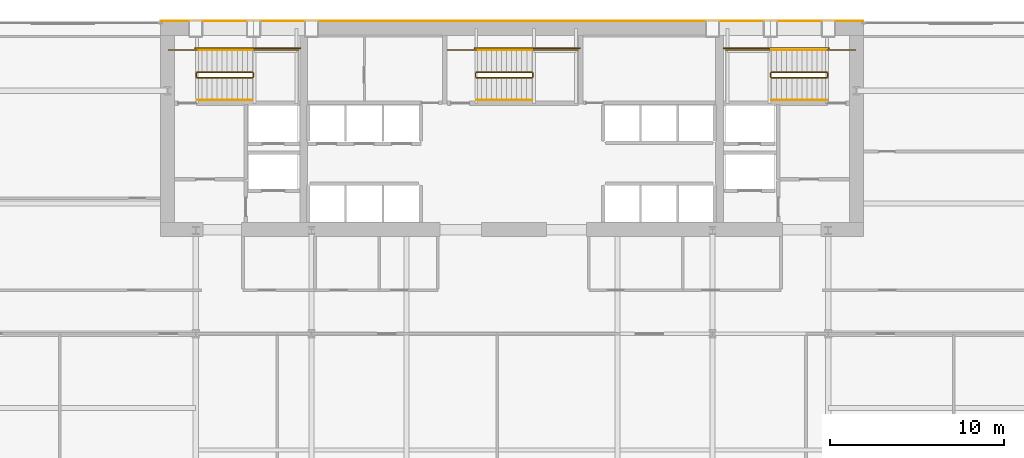
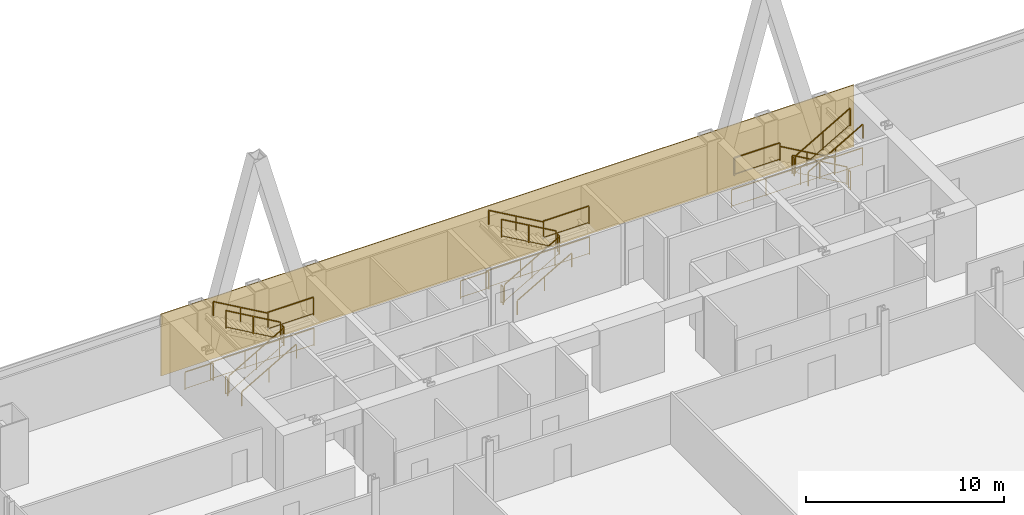
# One storey, part 36 of 36: 27 railings, 1 covering.
"""IFC4 building model written with IfcOpenShell, lengths in metres."""

from ifc_helpers import new_model, si_unit, direction, frame, origin, origin_2d, place, context, subcontext, project, spatial, polyline, rectangle, outline, extrude, material, layer, layer_set, type_object, element, save


model = new_model("IFC4")

# Units and contexts
model_context = context("Model", 3, precision=1e-05, world=origin(), true_north=direction((0.0, 1.0)))
body_context = subcontext(model_context, "Body", "Model", "MODEL_VIEW")
ifc_project = project(units=[si_unit("LENGTHUNIT", "METRE"), si_unit("AREAUNIT", "SQUARE_METRE"), si_unit("VOLUMEUNIT", "CUBIC_METRE"), si_unit("PLANEANGLEUNIT", "RADIAN"), si_unit("MASSUNIT", "GRAM", prefix="KILO")], contexts=[model_context])

# Site, building, storey
site_placement = place(None, origin())
site = spatial("IfcSite", under=ifc_project, at=site_placement, CompositionType="ELEMENT")
building_placement = place(site_placement, origin())
building = spatial("IfcBuilding", under=site, at=building_placement, Name="Khoronbel Lancet Exchange", CompositionType="ELEMENT")
storey_placement = place(building_placement, frame((0.0, 0.0, 49.800048828125)))
storey = spatial("IfcBuildingStorey", under=building, at=storey_placement, Name="L11", CompositionType="ELEMENT", Elevation=49.800048828125)

# Covering
ifc_material_1 = material(Name="Honed Egyptian Limestone & Bronze Rainscreen", Category="masonry")
ifc_layer = layer(ifc_material_1, 0.050048828125, Name="Honed Egyptian Limestone & Bronze Rainscreen")
ifc_layer_set = layer_set([ifc_layer], Name="Honed Egyptian Limestone & Bronze Rainscreen")
covering_type = type_object("IfcCoveringType", Name="COV-CLAD1", PredefinedType="CLADDING", material=ifc_layer_set)
covering_placement = place(storey_placement, origin())
element("IfcCovering", 1, at=covering_placement, inside=storey, type_object=covering_type, Name="Level L11 north rear-core stone and bronze rainscreen cladding", PredefinedType="CLADDING", context=body_context, shape_type="SweptSolid", body=[
    extrude(outline(polyline([(16.199951171875, 53.699951171875), (56.699951171875, 53.699951171875), (56.699951171875, 53.75), (16.199951171875, 53.75), (16.199951171875, 53.699951171875)])), origin(), (0.0, 0.0, 1.0), 3.820068359375),
])

# Railings
ifc_material_2 = material(Name="Painted Steel Balustrade", Category="steel")
railing_type_1 = type_object("IfcRailingType", Name="RL-STG110", PredefinedType="GUARDRAIL", material=ifc_material_2)
railing_1_placement = place(storey_placement, frame((18.300048828125, 50.449951171875, 0.16650390625)))
element("IfcRailing", 2, at=railing_1_placement, inside=storey, type_object=railing_type_1, Name="L11 ST1 stair guard 1", PredefinedType="GUARDRAIL", context=body_context, shape_type="SweptSolid", body=[
    extrude(rectangle(XDim=0.048095703125, YDim=0.048095703125, at=origin_2d()), frame((0.0, 0.0, 1.09619140625), z_axis=(0.86699087805, 0.0, 0.498324008431), x_axis=(0.0, 1.0, 0.0)), (0.0, 0.0, 1.0), 3.679443359375),
    extrude(rectangle(XDim=0.02392578125, YDim=0.02392578125, at=origin_2d()), frame((0.0, 0.0, 0.080078125), z_axis=(0.86699087805, 0.0, 0.498324008431), x_axis=(0.0, 1.0, 0.0)), (0.0, 0.0, 1.0), 3.679443359375),
    extrude(rectangle(XDim=0.0419921875, YDim=0.0419921875, at=origin_2d()), origin(), (0.0, 0.0, 1.0), 1.072021484375),
    extrude(rectangle(XDim=0.0419921875, YDim=0.0419921875, at=origin_2d()), frame((1.594970703125, 0.0, 0.916748046875)), (0.0, 0.0, 1.0), 1.072021484375),
    extrude(rectangle(XDim=0.0419921875, YDim=0.0419921875, at=origin_2d()), frame((3.18994140625, 0.0, 1.83349609375)), (0.0, 0.0, 1.0), 1.072021484375),
])
railing_2_placement = place(storey_placement, frame((21.5400390625, 50.5, 2.0)))
element("IfcRailing", 3, at=railing_2_placement, inside=storey, type_object=railing_type_1, Name="L11 ST1 stair guard 2", PredefinedType="GUARDRAIL", context=body_context, shape_type="SweptSolid", body=[
    extrude(rectangle(XDim=0.048095703125, YDim=0.048095703125, at=origin_2d()), frame((0.0, 0.0, 1.09619140625), z_axis=(0.0, 1.0, 0.0), x_axis=(-1.0, 0.0, 0.0)), (0.0, 0.0, 1.0), 0.219970703125),
    extrude(rectangle(XDim=0.02392578125, YDim=0.02392578125, at=origin_2d()), frame((0.0, 0.0, 0.080078125), z_axis=(0.0, 1.0, 0.0), x_axis=(-1.0, 0.0, 0.0)), (0.0, 0.0, 1.0), 0.219970703125),
    extrude(rectangle(XDim=0.0419921875, YDim=0.0419921875, at=origin_2d()), origin(), (0.0, 0.0, 1.0), 1.072021484375),
    extrude(rectangle(XDim=0.0419921875, YDim=0.0419921875, at=origin_2d()), frame((0.0, 0.219970703125, 0.0)), (0.0, 0.0, 1.0), 1.072021484375),
])
railing_3_placement = place(storey_placement, frame((21.489990234375, 52.050048828125, 2.0)))
element("IfcRailing", 4, at=railing_3_placement, inside=storey, type_object=railing_type_1, Name="L11 ST1 stair guard 3", PredefinedType="GUARDRAIL", context=body_context, shape_type="SweptSolid", body=[
    extrude(rectangle(XDim=0.048095703125, YDim=0.048095703125, at=origin_2d()), frame((0.0, 0.0, 1.09619140625), z_axis=(1.0, 0.0, 0.0), x_axis=(0.0, 1.0, 0.0)), (0.0, 0.0, 1.0), 2.659912109375),
    extrude(rectangle(XDim=0.02392578125, YDim=0.02392578125, at=origin_2d()), frame((0.0, 0.0, 0.080078125), z_axis=(1.0, 0.0, 0.0), x_axis=(0.0, 1.0, 0.0)), (0.0, 0.0, 1.0), 2.659912109375),
    extrude(rectangle(XDim=0.0419921875, YDim=0.0419921875, at=origin_2d()), origin(), (0.0, 0.0, 1.0), 1.072021484375),
    extrude(rectangle(XDim=0.0419921875, YDim=0.0419921875, at=origin_2d()), frame((2.659912109375, 0.0, 0.0)), (0.0, 0.0, 1.0), 1.072021484375),
])
railing_4_placement = place(storey_placement, frame((21.489990234375, 50.77001953125, 2.16650390625)))
element("IfcRailing", 5, at=railing_4_placement, inside=storey, type_object=railing_type_1, Name="L11 ST1 stair guard 4", PredefinedType="GUARDRAIL", context=body_context, shape_type="SweptSolid", body=[
    extrude(rectangle(XDim=0.048095703125, YDim=0.048095703125, at=origin_2d()), frame((0.0, 0.0, 1.09619140625), z_axis=(-0.86699087805, 0.0, 0.498324008431), x_axis=(0.0, -1.0, 0.0)), (0.0, 0.0, 1.0), 3.679443359375),
    extrude(rectangle(XDim=0.02392578125, YDim=0.02392578125, at=origin_2d()), frame((0.0, 0.0, 0.080078125), z_axis=(-0.86699087805, 0.0, 0.498324008431), x_axis=(0.0, -1.0, 0.0)), (0.0, 0.0, 1.0), 3.679443359375),
    extrude(rectangle(XDim=0.0419921875, YDim=0.0419921875, at=origin_2d()), origin(), (0.0, 0.0, 1.0), 1.072021484375),
    extrude(rectangle(XDim=0.0419921875, YDim=0.0419921875, at=origin_2d()), frame((-1.594970703125, 0.0, 0.916748046875)), (0.0, 0.0, 1.0), 1.072021484375),
    extrude(rectangle(XDim=0.0419921875, YDim=0.0419921875, at=origin_2d()), frame((-3.18994140625, 0.0, 1.83349609375)), (0.0, 0.0, 1.0), 1.072021484375),
])
railing_5_placement = place(storey_placement, frame((18.25, 50.5, 0.0)))
element("IfcRailing", 6, at=railing_5_placement, inside=storey, type_object=railing_type_1, Name="L11 ST1 stair guard 5", PredefinedType="GUARDRAIL", context=body_context, shape_type="SweptSolid", body=[
    extrude(rectangle(XDim=0.048095703125, YDim=0.048095703125, at=origin_2d()), frame((0.0, 0.0, 1.09619140625), z_axis=(0.0, 1.0, 0.0), x_axis=(-1.0, 0.0, 0.0)), (0.0, 0.0, 1.0), 0.219970703125),
    extrude(rectangle(XDim=0.02392578125, YDim=0.02392578125, at=origin_2d()), frame((0.0, 0.0, 0.080078125), z_axis=(0.0, 1.0, 0.0), x_axis=(-1.0, 0.0, 0.0)), (0.0, 0.0, 1.0), 0.219970703125),
    extrude(rectangle(XDim=0.0419921875, YDim=0.0419921875, at=origin_2d()), origin(), (0.0, 0.0, 1.0), 1.072021484375),
    extrude(rectangle(XDim=0.0419921875, YDim=0.0419921875, at=origin_2d()), frame((0.0, 0.219970703125, 0.0)), (0.0, 0.0, 1.0), 1.072021484375),
])
railing_6_placement = place(storey_placement, frame((16.64990234375, 52.050048828125, 0.0)))
element("IfcRailing", 7, at=railing_6_placement, inside=storey, type_object=railing_type_1, Name="L11 ST1 stair guard 6", PredefinedType="GUARDRAIL", context=body_context, shape_type="SweptSolid", body=[
    extrude(rectangle(XDim=0.048095703125, YDim=0.048095703125, at=origin_2d()), frame((0.0, 0.0, 1.09619140625), z_axis=(1.0, 0.0, 0.0), x_axis=(0.0, 1.0, 0.0)), (0.0, 0.0, 1.0), 1.650146484375),
    extrude(rectangle(XDim=0.02392578125, YDim=0.02392578125, at=origin_2d()), frame((0.0, 0.0, 0.080078125), z_axis=(1.0, 0.0, 0.0), x_axis=(0.0, 1.0, 0.0)), (0.0, 0.0, 1.0), 1.650146484375),
    extrude(rectangle(XDim=0.0419921875, YDim=0.0419921875, at=origin_2d()), origin(), (0.0, 0.0, 1.0), 1.072021484375),
    extrude(rectangle(XDim=0.0419921875, YDim=0.0419921875, at=origin_2d()), frame((1.650146484375, 0.0, 0.0)), (0.0, 0.0, 1.0), 1.072021484375),
])
railing_7_placement = place(storey_placement, frame((18.199951171875, 52.14990234375, 0.0)))
element("IfcRailing", 8, at=railing_7_placement, inside=storey, type_object=railing_type_1, Name="L11 ST1 stair guard 7", PredefinedType="GUARDRAIL", context=body_context, shape_type="SweptSolid", body=[
    extrude(rectangle(XDim=0.048095703125, YDim=0.048095703125, at=origin_2d()), frame((0.0, 0.0, 1.09619140625), z_axis=(1.0, 0.0, 0.0), x_axis=(0.0, 1.0, 0.0)), (0.0, 0.0, 1.0), 6.050048828125),
    extrude(rectangle(XDim=0.02392578125, YDim=0.02392578125, at=origin_2d()), frame((0.0, 0.0, 0.080078125), z_axis=(1.0, 0.0, 0.0), x_axis=(0.0, 1.0, 0.0)), (0.0, 0.0, 1.0), 6.050048828125),
    extrude(rectangle(XDim=0.0419921875, YDim=0.0419921875, at=origin_2d()), origin(), (0.0, 0.0, 1.0), 1.072021484375),
    extrude(rectangle(XDim=0.0419921875, YDim=0.0419921875, at=origin_2d()), frame((2.0166015625, 0.0, 0.0)), (0.0, 0.0, 1.0), 1.072021484375),
    extrude(rectangle(XDim=0.0419921875, YDim=0.0419921875, at=origin_2d()), frame((4.033447265625, 0.0, 0.0)), (0.0, 0.0, 1.0), 1.072021484375),
    extrude(rectangle(XDim=0.0419921875, YDim=0.0419921875, at=origin_2d()), frame((6.050048828125, 0.0, 0.0)), (0.0, 0.0, 1.0), 1.072021484375),
])
railing_8_placement = place(storey_placement, frame((54.60009765625, 50.77001953125, 0.16650390625)))
element("IfcRailing", 9, at=railing_8_placement, inside=storey, type_object=railing_type_1, Name="L11 ST2 stair guard 1", PredefinedType="GUARDRAIL", context=body_context, shape_type="SweptSolid", body=[
    extrude(rectangle(XDim=0.048095703125, YDim=0.048095703125, at=origin_2d()), frame((0.0, 0.0, 1.09619140625), z_axis=(-0.867007354286, 0.0, 0.498295341753), x_axis=(0.0, -1.0, 0.0)), (0.0, 0.0, 1.0), 3.679443359375),
    extrude(rectangle(XDim=0.02392578125, YDim=0.02392578125, at=origin_2d()), frame((0.0, 0.0, 0.080078125), z_axis=(-0.867007354286, 0.0, 0.498295341753), x_axis=(0.0, -1.0, 0.0)), (0.0, 0.0, 1.0), 3.679443359375),
    extrude(rectangle(XDim=0.0419921875, YDim=0.0419921875, at=origin_2d()), origin(), (0.0, 0.0, 1.0), 1.072021484375),
    extrude(rectangle(XDim=0.0419921875, YDim=0.0419921875, at=origin_2d()), frame((-1.59521484375, 0.0, 0.916748046875)), (0.0, 0.0, 1.0), 1.072021484375),
    extrude(rectangle(XDim=0.0419921875, YDim=0.0419921875, at=origin_2d()), frame((-3.190185546875, 0.0, 1.83349609375)), (0.0, 0.0, 1.0), 1.072021484375),
])
railing_9_placement = place(storey_placement, frame((51.360107421875, 50.719970703125, 2.0)))
element("IfcRailing", 10, at=railing_9_placement, inside=storey, type_object=railing_type_1, Name="L11 ST2 stair guard 2", PredefinedType="GUARDRAIL", context=body_context, shape_type="SweptSolid", body=[
    extrude(rectangle(XDim=0.048095703125, YDim=0.048095703125, at=origin_2d()), frame((0.0, 0.0, 1.09619140625), z_axis=(0.0, -1.0, 0.0), x_axis=(1.0, 0.0, 0.0)), (0.0, 0.0, 1.0), 0.219970703125),
    extrude(rectangle(XDim=0.02392578125, YDim=0.02392578125, at=origin_2d()), frame((0.0, 0.0, 0.080078125), z_axis=(0.0, -1.0, 0.0), x_axis=(1.0, 0.0, 0.0)), (0.0, 0.0, 1.0), 0.219970703125),
    extrude(rectangle(XDim=0.0419921875, YDim=0.0419921875, at=origin_2d()), origin(), (0.0, 0.0, 1.0), 1.072021484375),
    extrude(rectangle(XDim=0.0419921875, YDim=0.0419921875, at=origin_2d()), frame((0.0, -0.219970703125, 0.0)), (0.0, 0.0, 1.0), 1.072021484375),
])
railing_10_placement = place(storey_placement, frame((51.409912109375, 52.050048828125, 2.0)))
element("IfcRailing", 11, at=railing_10_placement, inside=storey, type_object=railing_type_1, Name="L11 ST2 stair guard 3", PredefinedType="GUARDRAIL", context=body_context, shape_type="SweptSolid", body=[
    extrude(rectangle(XDim=0.048095703125, YDim=0.048095703125, at=origin_2d()), frame((0.0, 0.0, 1.09619140625), z_axis=(-1.0, 0.0, 0.0), x_axis=(0.0, -1.0, 0.0)), (0.0, 0.0, 1.0), 2.659912109375),
    extrude(rectangle(XDim=0.02392578125, YDim=0.02392578125, at=origin_2d()), frame((0.0, 0.0, 0.080078125), z_axis=(-1.0, 0.0, 0.0), x_axis=(0.0, -1.0, 0.0)), (0.0, 0.0, 1.0), 2.659912109375),
    extrude(rectangle(XDim=0.0419921875, YDim=0.0419921875, at=origin_2d()), origin(), (0.0, 0.0, 1.0), 1.072021484375),
    extrude(rectangle(XDim=0.0419921875, YDim=0.0419921875, at=origin_2d()), frame((-2.659912109375, 0.0, 0.0)), (0.0, 0.0, 1.0), 1.072021484375),
])
railing_11_placement = place(storey_placement, frame((51.409912109375, 50.449951171875, 2.16650390625)))
element("IfcRailing", 12, at=railing_11_placement, inside=storey, type_object=railing_type_1, Name="L11 ST2 stair guard 4", PredefinedType="GUARDRAIL", context=body_context, shape_type="SweptSolid", body=[
    extrude(rectangle(XDim=0.048095703125, YDim=0.048095703125, at=origin_2d()), frame((0.0, 0.0, 1.09619140625), z_axis=(0.867007354286, 0.0, 0.498295341753), x_axis=(0.0, 1.0, 0.0)), (0.0, 0.0, 1.0), 3.679443359375),
    extrude(rectangle(XDim=0.02392578125, YDim=0.02392578125, at=origin_2d()), frame((0.0, 0.0, 0.080078125), z_axis=(0.867007354286, 0.0, 0.498295341753), x_axis=(0.0, 1.0, 0.0)), (0.0, 0.0, 1.0), 3.679443359375),
    extrude(rectangle(XDim=0.0419921875, YDim=0.0419921875, at=origin_2d()), origin(), (0.0, 0.0, 1.0), 1.072021484375),
    extrude(rectangle(XDim=0.0419921875, YDim=0.0419921875, at=origin_2d()), frame((1.59521484375, 0.0, 0.916748046875)), (0.0, 0.0, 1.0), 1.072021484375),
    extrude(rectangle(XDim=0.0419921875, YDim=0.0419921875, at=origin_2d()), frame((3.190185546875, 0.0, 1.83349609375)), (0.0, 0.0, 1.0), 1.072021484375),
])
railing_12_placement = place(storey_placement, frame((54.64990234375, 50.719970703125, 0.0)))
element("IfcRailing", 13, at=railing_12_placement, inside=storey, type_object=railing_type_1, Name="L11 ST2 stair guard 5", PredefinedType="GUARDRAIL", context=body_context, shape_type="SweptSolid", body=[
    extrude(rectangle(XDim=0.048095703125, YDim=0.048095703125, at=origin_2d()), frame((0.0, 0.0, 1.09619140625), z_axis=(0.0, -1.0, 0.0), x_axis=(1.0, 0.0, 0.0)), (0.0, 0.0, 1.0), 0.219970703125),
    extrude(rectangle(XDim=0.02392578125, YDim=0.02392578125, at=origin_2d()), frame((0.0, 0.0, 0.080078125), z_axis=(0.0, -1.0, 0.0), x_axis=(1.0, 0.0, 0.0)), (0.0, 0.0, 1.0), 0.219970703125),
    extrude(rectangle(XDim=0.0419921875, YDim=0.0419921875, at=origin_2d()), origin(), (0.0, 0.0, 1.0), 1.072021484375),
    extrude(rectangle(XDim=0.0419921875, YDim=0.0419921875, at=origin_2d()), frame((0.0, -0.219970703125, 0.0)), (0.0, 0.0, 1.0), 1.072021484375),
])
railing_13_placement = place(storey_placement, frame((56.25, 52.050048828125, 0.0)))
element("IfcRailing", 14, at=railing_13_placement, inside=storey, type_object=railing_type_1, Name="L11 ST2 stair guard 6", PredefinedType="GUARDRAIL", context=body_context, shape_type="SweptSolid", body=[
    extrude(rectangle(XDim=0.048095703125, YDim=0.048095703125, at=origin_2d()), frame((0.0, 0.0, 1.09619140625), z_axis=(-1.0, 0.0, 0.0), x_axis=(0.0, -1.0, 0.0)), (0.0, 0.0, 1.0), 1.64990234375),
    extrude(rectangle(XDim=0.02392578125, YDim=0.02392578125, at=origin_2d()), frame((0.0, 0.0, 0.080078125), z_axis=(-1.0, 0.0, 0.0), x_axis=(0.0, -1.0, 0.0)), (0.0, 0.0, 1.0), 1.64990234375),
    extrude(rectangle(XDim=0.0419921875, YDim=0.0419921875, at=origin_2d()), origin(), (0.0, 0.0, 1.0), 1.072021484375),
    extrude(rectangle(XDim=0.0419921875, YDim=0.0419921875, at=origin_2d()), frame((-1.64990234375, 0.0, 0.0)), (0.0, 0.0, 1.0), 1.072021484375),
])
railing_14_placement = place(storey_placement, frame((54.699951171875, 52.14990234375, 0.0)))
element("IfcRailing", 15, at=railing_14_placement, inside=storey, type_object=railing_type_1, Name="L11 ST2 stair guard 7", PredefinedType="GUARDRAIL", context=body_context, shape_type="SweptSolid", body=[
    extrude(rectangle(XDim=0.048095703125, YDim=0.048095703125, at=origin_2d()), frame((0.0, 0.0, 1.09619140625), z_axis=(-1.0, 0.0, 0.0), x_axis=(0.0, -1.0, 0.0)), (0.0, 0.0, 1.0), 6.050048828125),
    extrude(rectangle(XDim=0.02392578125, YDim=0.02392578125, at=origin_2d()), frame((0.0, 0.0, 0.080078125), z_axis=(-1.0, 0.0, 0.0), x_axis=(0.0, -1.0, 0.0)), (0.0, 0.0, 1.0), 6.050048828125),
    extrude(rectangle(XDim=0.0419921875, YDim=0.0419921875, at=origin_2d()), origin(), (0.0, 0.0, 1.0), 1.072021484375),
    extrude(rectangle(XDim=0.0419921875, YDim=0.0419921875, at=origin_2d()), frame((-2.0166015625, 0.0, 0.0)), (0.0, 0.0, 1.0), 1.072021484375),
    extrude(rectangle(XDim=0.0419921875, YDim=0.0419921875, at=origin_2d()), frame((-4.033447265625, 0.0, 0.0)), (0.0, 0.0, 1.0), 1.072021484375),
    extrude(rectangle(XDim=0.0419921875, YDim=0.0419921875, at=origin_2d()), frame((-6.050048828125, 0.0, 0.0)), (0.0, 0.0, 1.0), 1.072021484375),
])
railing_15_placement = place(storey_placement, frame((34.39990234375, 50.449951171875, 0.16650390625)))
element("IfcRailing", 16, at=railing_15_placement, inside=storey, type_object=railing_type_1, Name="L11 ST3 stair guard 1", PredefinedType="GUARDRAIL", context=body_context, shape_type="SweptSolid", body=[
    extrude(rectangle(XDim=0.048095703125, YDim=0.048095703125, at=origin_2d()), frame((0.0, 0.0, 1.09619140625), z_axis=(0.867007354286, 0.0, 0.498295341753), x_axis=(0.0, 1.0, 0.0)), (0.0, 0.0, 1.0), 3.679443359375),
    extrude(rectangle(XDim=0.02392578125, YDim=0.02392578125, at=origin_2d()), frame((0.0, 0.0, 0.080078125), z_axis=(0.867007354286, 0.0, 0.498295341753), x_axis=(0.0, 1.0, 0.0)), (0.0, 0.0, 1.0), 3.679443359375),
    extrude(rectangle(XDim=0.0419921875, YDim=0.0419921875, at=origin_2d()), origin(), (0.0, 0.0, 1.0), 1.072021484375),
    extrude(rectangle(XDim=0.0419921875, YDim=0.0419921875, at=origin_2d()), frame((1.59521484375, 0.0, 0.916748046875)), (0.0, 0.0, 1.0), 1.072021484375),
    extrude(rectangle(XDim=0.0419921875, YDim=0.0419921875, at=origin_2d()), frame((3.190185546875, 0.0, 1.83349609375)), (0.0, 0.0, 1.0), 1.072021484375),
])
railing_16_placement = place(storey_placement, frame((37.639892578125, 50.5, 2.0)))
element("IfcRailing", 17, at=railing_16_placement, inside=storey, type_object=railing_type_1, Name="L11 ST3 stair guard 2", PredefinedType="GUARDRAIL", context=body_context, shape_type="SweptSolid", body=[
    extrude(rectangle(XDim=0.048095703125, YDim=0.048095703125, at=origin_2d()), frame((0.0, 0.0, 1.09619140625), z_axis=(0.0, 1.0, 0.0), x_axis=(-1.0, 0.0, 0.0)), (0.0, 0.0, 1.0), 0.219970703125),
    extrude(rectangle(XDim=0.02392578125, YDim=0.02392578125, at=origin_2d()), frame((0.0, 0.0, 0.080078125), z_axis=(0.0, 1.0, 0.0), x_axis=(-1.0, 0.0, 0.0)), (0.0, 0.0, 1.0), 0.219970703125),
    extrude(rectangle(XDim=0.0419921875, YDim=0.0419921875, at=origin_2d()), origin(), (0.0, 0.0, 1.0), 1.072021484375),
    extrude(rectangle(XDim=0.0419921875, YDim=0.0419921875, at=origin_2d()), frame((0.0, 0.219970703125, 0.0)), (0.0, 0.0, 1.0), 1.072021484375),
])
railing_17_placement = place(storey_placement, frame((37.590087890625, 52.050048828125, 2.0)))
element("IfcRailing", 18, at=railing_17_placement, inside=storey, type_object=railing_type_1, Name="L11 ST3 stair guard 3", PredefinedType="GUARDRAIL", context=body_context, shape_type="SweptSolid", body=[
    extrude(rectangle(XDim=0.048095703125, YDim=0.048095703125, at=origin_2d()), frame((0.0, 0.0, 1.09619140625), z_axis=(1.0, 0.0, 0.0), x_axis=(0.0, 1.0, 0.0)), (0.0, 0.0, 1.0), 2.659912109375),
    extrude(rectangle(XDim=0.02392578125, YDim=0.02392578125, at=origin_2d()), frame((0.0, 0.0, 0.080078125), z_axis=(1.0, 0.0, 0.0), x_axis=(0.0, 1.0, 0.0)), (0.0, 0.0, 1.0), 2.659912109375),
    extrude(rectangle(XDim=0.0419921875, YDim=0.0419921875, at=origin_2d()), origin(), (0.0, 0.0, 1.0), 1.072021484375),
    extrude(rectangle(XDim=0.0419921875, YDim=0.0419921875, at=origin_2d()), frame((2.659912109375, 0.0, 0.0)), (0.0, 0.0, 1.0), 1.072021484375),
])
railing_18_placement = place(storey_placement, frame((37.590087890625, 50.77001953125, 2.16650390625)))
element("IfcRailing", 19, at=railing_18_placement, inside=storey, type_object=railing_type_1, Name="L11 ST3 stair guard 4", PredefinedType="GUARDRAIL", context=body_context, shape_type="SweptSolid", body=[
    extrude(rectangle(XDim=0.048095703125, YDim=0.048095703125, at=origin_2d()), frame((0.0, 0.0, 1.09619140625), z_axis=(-0.867007354286, 0.0, 0.498295341753), x_axis=(0.0, -1.0, 0.0)), (0.0, 0.0, 1.0), 3.679443359375),
    extrude(rectangle(XDim=0.02392578125, YDim=0.02392578125, at=origin_2d()), frame((0.0, 0.0, 0.080078125), z_axis=(-0.867007354286, 0.0, 0.498295341753), x_axis=(0.0, -1.0, 0.0)), (0.0, 0.0, 1.0), 3.679443359375),
    extrude(rectangle(XDim=0.0419921875, YDim=0.0419921875, at=origin_2d()), origin(), (0.0, 0.0, 1.0), 1.072021484375),
    extrude(rectangle(XDim=0.0419921875, YDim=0.0419921875, at=origin_2d()), frame((-1.59521484375, 0.0, 0.916748046875)), (0.0, 0.0, 1.0), 1.072021484375),
    extrude(rectangle(XDim=0.0419921875, YDim=0.0419921875, at=origin_2d()), frame((-3.190185546875, 0.0, 1.83349609375)), (0.0, 0.0, 1.0), 1.072021484375),
])
railing_19_placement = place(storey_placement, frame((34.35009765625, 50.5, 0.0)))
element("IfcRailing", 20, at=railing_19_placement, inside=storey, type_object=railing_type_1, Name="L11 ST3 stair guard 5", PredefinedType="GUARDRAIL", context=body_context, shape_type="SweptSolid", body=[
    extrude(rectangle(XDim=0.048095703125, YDim=0.048095703125, at=origin_2d()), frame((0.0, 0.0, 1.09619140625), z_axis=(0.0, 1.0, 0.0), x_axis=(-1.0, 0.0, 0.0)), (0.0, 0.0, 1.0), 0.219970703125),
    extrude(rectangle(XDim=0.02392578125, YDim=0.02392578125, at=origin_2d()), frame((0.0, 0.0, 0.080078125), z_axis=(0.0, 1.0, 0.0), x_axis=(-1.0, 0.0, 0.0)), (0.0, 0.0, 1.0), 0.219970703125),
    extrude(rectangle(XDim=0.0419921875, YDim=0.0419921875, at=origin_2d()), origin(), (0.0, 0.0, 1.0), 1.072021484375),
    extrude(rectangle(XDim=0.0419921875, YDim=0.0419921875, at=origin_2d()), frame((0.0, 0.219970703125, 0.0)), (0.0, 0.0, 1.0), 1.072021484375),
])
railing_20_placement = place(storey_placement, frame((32.75, 52.050048828125, 0.0)))
element("IfcRailing", 21, at=railing_20_placement, inside=storey, type_object=railing_type_1, Name="L11 ST3 stair guard 6", PredefinedType="GUARDRAIL", context=body_context, shape_type="SweptSolid", body=[
    extrude(rectangle(XDim=0.048095703125, YDim=0.048095703125, at=origin_2d()), frame((0.0, 0.0, 1.09619140625), z_axis=(1.0, 0.0, 0.0), x_axis=(0.0, 1.0, 0.0)), (0.0, 0.0, 1.0), 1.64990234375),
    extrude(rectangle(XDim=0.02392578125, YDim=0.02392578125, at=origin_2d()), frame((0.0, 0.0, 0.080078125), z_axis=(1.0, 0.0, 0.0), x_axis=(0.0, 1.0, 0.0)), (0.0, 0.0, 1.0), 1.64990234375),
    extrude(rectangle(XDim=0.0419921875, YDim=0.0419921875, at=origin_2d()), origin(), (0.0, 0.0, 1.0), 1.072021484375),
    extrude(rectangle(XDim=0.0419921875, YDim=0.0419921875, at=origin_2d()), frame((1.64990234375, 0.0, 0.0)), (0.0, 0.0, 1.0), 1.072021484375),
])
railing_21_placement = place(storey_placement, frame((34.300048828125, 52.14990234375, 0.0)))
element("IfcRailing", 22, at=railing_21_placement, inside=storey, type_object=railing_type_1, Name="L11 ST3 stair guard 7", PredefinedType="GUARDRAIL", context=body_context, shape_type="SweptSolid", body=[
    extrude(rectangle(XDim=0.048095703125, YDim=0.048095703125, at=origin_2d()), frame((0.0, 0.0, 1.09619140625), z_axis=(1.0, 0.0, 0.0), x_axis=(0.0, 1.0, 0.0)), (0.0, 0.0, 1.0), 6.050048828125),
    extrude(rectangle(XDim=0.02392578125, YDim=0.02392578125, at=origin_2d()), frame((0.0, 0.0, 0.080078125), z_axis=(1.0, 0.0, 0.0), x_axis=(0.0, 1.0, 0.0)), (0.0, 0.0, 1.0), 6.050048828125),
    extrude(rectangle(XDim=0.0419921875, YDim=0.0419921875, at=origin_2d()), origin(), (0.0, 0.0, 1.0), 1.072021484375),
    extrude(rectangle(XDim=0.0419921875, YDim=0.0419921875, at=origin_2d()), frame((2.0166015625, 0.0, 0.0)), (0.0, 0.0, 1.0), 1.072021484375),
    extrude(rectangle(XDim=0.0419921875, YDim=0.0419921875, at=origin_2d()), frame((4.033447265625, 0.0, 0.0)), (0.0, 0.0, 1.0), 1.072021484375),
    extrude(rectangle(XDim=0.0419921875, YDim=0.0419921875, at=origin_2d()), frame((6.050048828125, 0.0, 0.0)), (0.0, 0.0, 1.0), 1.072021484375),
])
ifc_material_3 = material(Name="Brushed Stainless Steel 316", Category="steel")
railing_type_2 = type_object("IfcRailingType", Name="RL-STH92", PredefinedType="HANDRAIL", material=ifc_material_3)
railing_22_placement = place(storey_placement, frame((18.300048828125, 49.169921875, 0.16650390625)))
element("IfcRailing", 23, at=railing_22_placement, inside=storey, type_object=railing_type_2, Name="L11 ST1 stair handrail 1", PredefinedType="HANDRAIL", context=body_context, shape_type="SweptSolid", body=[
    extrude(rectangle(XDim=0.048095703125, YDim=0.048095703125, at=origin_2d()), frame((0.0, 0.0, 0.8759765625), z_axis=(0.86699087805, 0.0, 0.498324008431), x_axis=(0.0, 1.0, 0.0)), (0.0, 0.0, 1.0), 3.679443359375),
    extrude(rectangle(XDim=0.0419921875, YDim=0.0419921875, at=origin_2d()), origin(), (0.0, 0.0, 1.0), 0.851806640625),
    extrude(rectangle(XDim=0.0419921875, YDim=0.0419921875, at=origin_2d()), frame((1.594970703125, 0.0, 0.916748046875)), (0.0, 0.0, 1.0), 0.851806640625),
    extrude(rectangle(XDim=0.0419921875, YDim=0.0419921875, at=origin_2d()), frame((3.18994140625, 0.0, 1.83349609375)), (0.0, 0.0, 1.0), 0.851806640625),
])
railing_23_placement = place(storey_placement, frame((21.489990234375, 52.050048828125, 2.16650390625)))
element("IfcRailing", 24, at=railing_23_placement, inside=storey, type_object=railing_type_2, Name="L11 ST1 stair handrail 2", PredefinedType="HANDRAIL", context=body_context, shape_type="SweptSolid", body=[
    extrude(rectangle(XDim=0.048095703125, YDim=0.048095703125, at=origin_2d()), frame((0.0, 0.0, 0.8759765625), z_axis=(-0.86699087805, 0.0, 0.498324008431), x_axis=(0.0, -1.0, 0.0)), (0.0, 0.0, 1.0), 3.679443359375),
    extrude(rectangle(XDim=0.0419921875, YDim=0.0419921875, at=origin_2d()), origin(), (0.0, 0.0, 1.0), 0.851806640625),
    extrude(rectangle(XDim=0.0419921875, YDim=0.0419921875, at=origin_2d()), frame((-1.594970703125, 0.0, 0.916748046875)), (0.0, 0.0, 1.0), 0.851806640625),
    extrude(rectangle(XDim=0.0419921875, YDim=0.0419921875, at=origin_2d()), frame((-3.18994140625, 0.0, 1.83349609375)), (0.0, 0.0, 1.0), 0.851806640625),
])
railing_24_placement = place(storey_placement, frame((54.60009765625, 52.050048828125, 0.16650390625)))
element("IfcRailing", 25, at=railing_24_placement, inside=storey, type_object=railing_type_2, Name="L11 ST2 stair handrail 1", PredefinedType="HANDRAIL", context=body_context, shape_type="SweptSolid", body=[
    extrude(rectangle(XDim=0.048095703125, YDim=0.048095703125, at=origin_2d()), frame((0.0, 0.0, 0.8759765625), z_axis=(-0.867007354286, 0.0, 0.498295341753), x_axis=(0.0, -1.0, 0.0)), (0.0, 0.0, 1.0), 3.679443359375),
    extrude(rectangle(XDim=0.0419921875, YDim=0.0419921875, at=origin_2d()), origin(), (0.0, 0.0, 1.0), 0.851806640625),
    extrude(rectangle(XDim=0.0419921875, YDim=0.0419921875, at=origin_2d()), frame((-1.59521484375, 0.0, 0.916748046875)), (0.0, 0.0, 1.0), 0.851806640625),
    extrude(rectangle(XDim=0.0419921875, YDim=0.0419921875, at=origin_2d()), frame((-3.190185546875, 0.0, 1.83349609375)), (0.0, 0.0, 1.0), 0.851806640625),
])
for number, where, name in (
    (26, (51.409912109375, 49.169921875, 2.16650390625), "L11 ST2 stair handrail 2"),
    (27, (34.39990234375, 49.169921875, 0.16650390625), "L11 ST3 stair handrail 1"),
):
    element("IfcRailing", number, at=place(storey_placement, frame(where)), inside=storey, type_object=railing_type_2, Name=name, PredefinedType="HANDRAIL", context=body_context, shape_type="SweptSolid", body=[
        extrude(rectangle(XDim=0.048095703125, YDim=0.048095703125, at=origin_2d()), frame((0.0, 0.0, 0.8759765625), z_axis=(0.867007354286, 0.0, 0.498295341753), x_axis=(0.0, 1.0, 0.0)), (0.0, 0.0, 1.0), 3.679443359375),
        extrude(rectangle(XDim=0.0419921875, YDim=0.0419921875, at=origin_2d()), origin(), (0.0, 0.0, 1.0), 0.851806640625),
        extrude(rectangle(XDim=0.0419921875, YDim=0.0419921875, at=origin_2d()), frame((1.59521484375, 0.0, 0.916748046875)), (0.0, 0.0, 1.0), 0.851806640625),
        extrude(rectangle(XDim=0.0419921875, YDim=0.0419921875, at=origin_2d()), frame((3.190185546875, 0.0, 1.83349609375)), (0.0, 0.0, 1.0), 0.851806640625),
    ])
railing_25_placement = place(storey_placement, frame((37.590087890625, 52.050048828125, 2.16650390625)))
element("IfcRailing", 28, at=railing_25_placement, inside=storey, type_object=railing_type_2, Name="L11 ST3 stair handrail 2", PredefinedType="HANDRAIL", context=body_context, shape_type="SweptSolid", body=[
    extrude(rectangle(XDim=0.048095703125, YDim=0.048095703125, at=origin_2d()), frame((0.0, 0.0, 0.8759765625), z_axis=(-0.867007354286, 0.0, 0.498295341753), x_axis=(0.0, -1.0, 0.0)), (0.0, 0.0, 1.0), 3.679443359375),
    extrude(rectangle(XDim=0.0419921875, YDim=0.0419921875, at=origin_2d()), origin(), (0.0, 0.0, 1.0), 0.851806640625),
    extrude(rectangle(XDim=0.0419921875, YDim=0.0419921875, at=origin_2d()), frame((-1.59521484375, 0.0, 0.916748046875)), (0.0, 0.0, 1.0), 0.851806640625),
    extrude(rectangle(XDim=0.0419921875, YDim=0.0419921875, at=origin_2d()), frame((-3.190185546875, 0.0, 1.83349609375)), (0.0, 0.0, 1.0), 0.851806640625),
])

save(model, "model.ifc")
